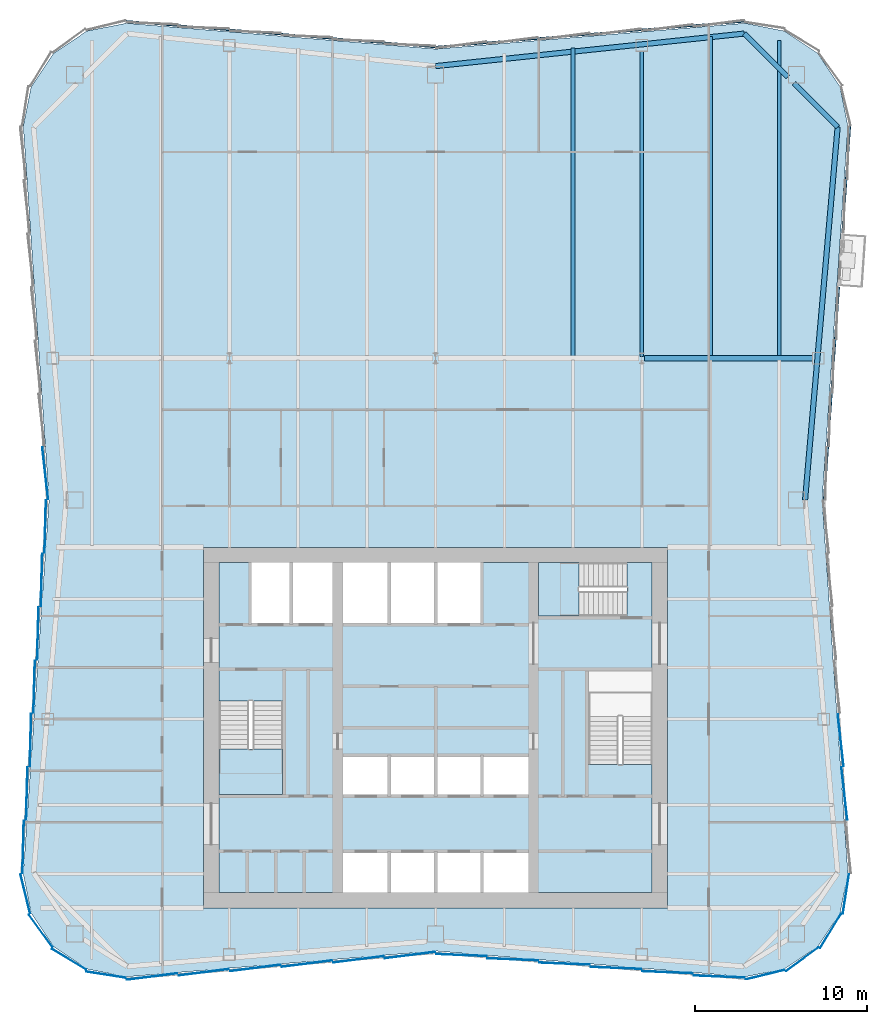
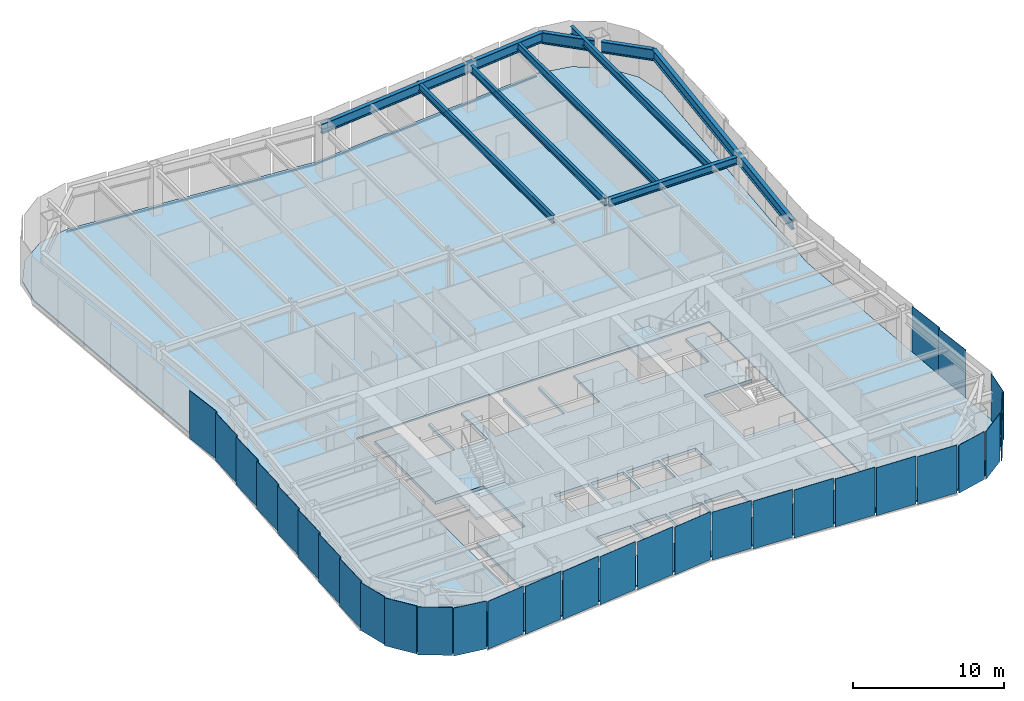
# One storey, part 3 of 10: 30 plates, 9 beams, 4 members, 4 slabs, 8 elements without a shape of their own.
"""IFC4 building model written with IfcOpenShell, lengths in metres."""

from ifc_helpers import new_model, si_unit, direction, frame, origin, origin_2d, place, context, subcontext, project, spatial, polyline, rectangle, i_section, outline, extrude, material, layer, layer_set, material_profile, profile_set, type_object, element, aggregate, save


model = new_model("IFC4")

# Units and contexts
model_context = context("Model", 3, precision=1e-05, world=origin(), true_north=direction((0.0, 1.0)))
body_context = subcontext(model_context, "Body", "Model", "MODEL_VIEW")
ifc_project = project(units=[si_unit("LENGTHUNIT", "METRE"), si_unit("AREAUNIT", "SQUARE_METRE"), si_unit("VOLUMEUNIT", "CUBIC_METRE"), si_unit("PLANEANGLEUNIT", "RADIAN"), si_unit("MASSUNIT", "GRAM", prefix="KILO")], contexts=[model_context])

# Site, building, storey
site_placement = place(None, origin())
site = spatial("IfcSite", under=ifc_project, at=site_placement, CompositionType="ELEMENT")
building_placement = place(site_placement, origin())
building = spatial("IfcBuilding", under=site, at=building_placement, Name="Verdant Reach Tower", CompositionType="ELEMENT")
storey_placement = place(building_placement, frame((0.0, 0.0, 222.0)))
storey = spatial("IfcBuildingStorey", under=building, at=storey_placement, Name="L51", CompositionType="ELEMENT", Elevation=222.0)

# Curtain wall, members
ifc_material_1 = material(Name="Anodised aluminium", Category="aluminium")
curtain_wall_type = type_object("IfcCurtainWallType", Name="EN-CW SYSTEM Z3", PredefinedType="NOTDEFINED", material=ifc_material_1)
curtain_wall_1_placement = place(storey_placement, origin())
curtain_wall_1 = element("IfcCurtainWall", 1, at=curtain_wall_1_placement, inside=storey, type_object=curtain_wall_type, Name="Curtain wall east, L51", PredefinedType="NOTDEFINED")
ifc_material_profile_1 = material_profile(ifc_material_1, rectangle(XDim=0.10009765625, YDim=0.1259765625, at=origin_2d()), Name="Transom 126x100")
ifc_profile_set_1 = profile_set([ifc_material_profile_1], Name="Anodised aluminium")
member_type = type_object("IfcMemberType", Name="EN-TRANSOM Z3", PredefinedType="USERDEFINED", material=ifc_profile_set_1)
member_1_placement = place(storey_placement, frame((22.611328125, 41.282958984375, -0.287109375), z_axis=(0.068819005353, 0.997629161814, 0.0), x_axis=(-0.997629161814, 0.068819005353, 0.0)))
member_1 = element("IfcMember", 2, at=member_1_placement, type_object=member_type, Name="Transom east face part 2 1.1, L51", ObjectType="TRANSOM", PredefinedType="USERDEFINED", context=body_context, shape_type="SweptSolid", body=[
    extrude(rectangle(XDim=0.10009765625, YDim=0.1259765625, at=origin_2d()), origin(), (0.0, 0.0, 1.0), 12.384521484375),
])
member_2_placement = place(storey_placement, frame((23.682373046875, 56.81103515625, -0.287109375), z_axis=(0.068646115672, 0.997641073134, 0.0), x_axis=(-0.997641073134, 0.068646115672, 0.0)))
member_2 = element("IfcMember", 3, at=member_2_placement, type_object=member_type, Name="Transom east face part 2 2.1, L51", ObjectType="TRANSOM", PredefinedType="USERDEFINED", context=body_context, shape_type="SweptSolid", body=[
    extrude(rectangle(XDim=0.10009765625, YDim=0.1259765625, at=origin_2d()), origin(), (0.0, 0.0, 1.0), 6.177734375),
])

curtain_wall_2_placement = place(storey_placement, origin())
curtain_wall_2 = element("IfcCurtainWall", 4, at=curtain_wall_2_placement, inside=storey, type_object=curtain_wall_type, Name="Curtain wall north, L51", PredefinedType="NOTDEFINED")
member_3_placement = place(storey_placement, frame((17.973388671875, 69.106201171875, -0.287109375), z_axis=(-0.996548750467, -0.083009565369, 0.0), x_axis=(0.083009565369, -0.996548750467, 0.0)))
member_3 = element("IfcMember", 5, at=member_3_placement, type_object=member_type, Name="Transom north face part 1 1.1, L51", ObjectType="TRANSOM", PredefinedType="USERDEFINED", context=body_context, shape_type="SweptSolid", body=[
    extrude(rectangle(XDim=0.10009765625, YDim=0.1259765625, at=origin_2d()), origin(), (0.0, 0.0, 1.0), 18.00244140625),
])
member_4_placement = place(storey_placement, frame((-0.032958984375, 67.61181640625, -0.287109375), z_axis=(-0.996548750467, 0.083009565369, 0.0), x_axis=(-0.083009565369, -0.996548750467, 0.0)))
member_4 = element("IfcMember", 6, at=member_4_placement, type_object=member_type, Name="Transom north face part 2 1.1, L51", ObjectType="TRANSOM", PredefinedType="USERDEFINED", context=body_context, shape_type="SweptSolid", body=[
    extrude(rectangle(XDim=0.10009765625, YDim=0.1259765625, at=origin_2d()), origin(), (0.0, 0.0, 1.0), 18.00244140625),
])
aggregate(curtain_wall_2, [member_3, member_4])

# Beams
ifc_material_2 = material(Name="Steel S355", Category="steel")
ifc_material_profile_2 = material_profile(ifc_material_2, i_section(OverallWidth=0.300048828125, OverallDepth=0.60009765625, WebThickness=0.015380859375, FlangeThickness=0.030029296875, FilletRadius=0.027099609375, at=origin_2d()), Name="HEB 600")
ifc_profile_set_2 = profile_set([ifc_material_profile_2], Name="Steel S355")
beam_type_1 = type_object("IfcBeamType", Name="ST-BEAM-HEB600", PredefinedType="BEAM", material=ifc_profile_set_2)
beam_1_placement = place(storey_placement, frame((12.152587890625, 49.5, 3.449951171875), z_axis=(1.0, 0.0, 0.0), x_axis=(0.0, 1.0, 0.0)))
element("IfcBeam", 7, at=beam_1_placement, inside=storey, type_object=beam_type_1, Name="Row girder, L51", PredefinedType="BEAM", context=body_context, shape_type="SweptSolid", body=[
    extrude(i_section(OverallWidth=0.300048828125, OverallDepth=0.60009765625, WebThickness=0.015380859375, FlangeThickness=0.030029296875, FilletRadius=0.027099609375, at=origin_2d()), origin(), (0.0, 0.0, 1.0), 9.766357421875),
])
ifc_material_profile_3 = material_profile(ifc_material_2, i_section(OverallWidth=0.219970703125, OverallDepth=0.60009765625, WebThickness=0.011962890625, FlangeThickness=0.01904296875, FilletRadius=0.02392578125, at=origin_2d()), Name="IPE 600")
ifc_profile_set_3 = profile_set([ifc_material_profile_3], Name="Steel S355")
beam_type_2 = type_object("IfcBeamType", Name="ST-JOIST-IPE600", PredefinedType="JOIST", material=ifc_profile_set_3)
beam_2_placement = place(storey_placement, frame((8.0, 49.60009765625, 3.449951171875), z_axis=(0.0, 1.0, 0.0), x_axis=(-1.0, 0.0, 0.0)))
element("IfcBeam", 8, at=beam_2_placement, inside=storey, type_object=beam_type_2, Name="Floor joist, L51", PredefinedType="JOIST", context=body_context, shape_type="SweptSolid", body=[
    extrude(i_section(OverallWidth=0.219970703125, OverallDepth=0.60009765625, WebThickness=0.011962890625, FlangeThickness=0.01904296875, FilletRadius=0.02392578125, at=origin_2d()), origin(), (0.0, 0.0, 1.0), 17.964599609375),
])
beam_3_placement = place(storey_placement, frame((12.0, 49.60009765625, 3.449951171875), z_axis=(0.0, 1.0, 0.0), x_axis=(-1.0, 0.0, 0.0)))
element("IfcBeam", 9, at=beam_3_placement, inside=storey, type_object=beam_type_2, Name="Floor joist, L51", PredefinedType="JOIST", context=body_context, shape_type="SweptSolid", body=[
    extrude(i_section(OverallWidth=0.219970703125, OverallDepth=0.60009765625, WebThickness=0.011962890625, FlangeThickness=0.01904296875, FilletRadius=0.02392578125, at=origin_2d()), origin(), (0.0, 0.0, 1.0), 17.75),
])
beam_4_placement = place(storey_placement, frame((16.0, 49.60009765625, 3.449951171875), z_axis=(0.0, 1.0, 0.0), x_axis=(-1.0, 0.0, 0.0)))
element("IfcBeam", 10, at=beam_4_placement, inside=storey, type_object=beam_type_2, Name="Floor joist, L51", PredefinedType="JOIST", context=body_context, shape_type="SweptSolid", body=[
    extrude(i_section(OverallWidth=0.219970703125, OverallDepth=0.60009765625, WebThickness=0.011962890625, FlangeThickness=0.01904296875, FilletRadius=0.02392578125, at=origin_2d()), origin(), (0.0, 0.0, 1.0), 18.631103515625),
])
beam_5_placement = place(storey_placement, frame((20.0, 49.60009765625, 3.449951171875), z_axis=(0.0, 1.0, 0.0), x_axis=(-1.0, 0.0, 0.0)))
element("IfcBeam", 11, at=beam_5_placement, inside=storey, type_object=beam_type_2, Name="Floor joist, L51", PredefinedType="JOIST", context=body_context, shape_type="SweptSolid", body=[
    extrude(i_section(OverallWidth=0.219970703125, OverallDepth=0.60009765625, WebThickness=0.011962890625, FlangeThickness=0.01904296875, FilletRadius=0.02392578125, at=origin_2d()), origin(), (0.0, 0.0, 1.0), 18.390380859375),
])
ifc_material_profile_4 = material_profile(ifc_material_2, i_section(OverallWidth=0.300048828125, OverallDepth=0.800048828125, WebThickness=0.017578125, FlangeThickness=0.032958984375, FilletRadius=0.030029296875, at=origin_2d()), Name="HEB 800")
ifc_profile_set_4 = profile_set([ifc_material_profile_4], Name="Steel S355")
beam_type_3 = type_object("IfcBeamType", Name="ST-SPANDREL-HEB800", PredefinedType="SPANDREL", material=ifc_profile_set_4)
beam_6_placement = place(storey_placement, frame((0.0, 66.5, 3.35009765625), z_axis=(0.994483067002, 0.104897232783, 0.0), x_axis=(-0.104897232783, 0.994483067002, 0.0)))
element("IfcBeam", 12, at=beam_6_placement, inside=storey, type_object=beam_type_3, Name="Edge beam, L51", PredefinedType="SPANDREL", context=body_context, shape_type="SweptSolid", body=[
    extrude(i_section(OverallWidth=0.300048828125, OverallDepth=0.800048828125, WebThickness=0.017578125, FlangeThickness=0.032958984375, FilletRadius=0.030029296875, at=origin_2d()), origin(), (0.0, 0.0, 1.0), 18.0654296875),
])
beam_7_placement = place(storey_placement, frame((23.39599609375, 62.96142578125, 3.35009765625), z_axis=(-0.086996024331, -0.996208658741, 0.0), x_axis=(0.996208658741, -0.086996024331, 0.0)))
element("IfcBeam", 13, at=beam_7_placement, inside=storey, type_object=beam_type_3, Name="Edge beam, L51", PredefinedType="SPANDREL", context=body_context, shape_type="SweptSolid", body=[
    extrude(i_section(OverallWidth=0.300048828125, OverallDepth=0.800048828125, WebThickness=0.017578125, FlangeThickness=0.032958984375, FilletRadius=0.030029296875, at=origin_2d()), origin(), (0.0, 0.0, 1.0), 21.7939453125),
])
ifc_material_profile_5 = material_profile(ifc_material_2, i_section(OverallWidth=0.302001953125, OverallDepth=0.909912109375, WebThickness=0.02099609375, FlangeThickness=0.0400390625, FilletRadius=0.030029296875, at=origin_2d()), Name="HEM 900")
ifc_profile_set_5 = profile_set([ifc_material_profile_5], Name="Steel S355")
beam_type_4 = type_object("IfcBeamType", Name="ST-SPANDREL-HEM900", PredefinedType="SPANDREL", material=ifc_profile_set_5)
beam_8_placement = place(storey_placement, frame((17.9658203125, 68.39501953125, 3.294921875), z_axis=(0.706868394255, -0.707345087777, 0.0), x_axis=(0.707345087777, 0.706868394255, 0.0)))
element("IfcBeam", 14, at=beam_8_placement, inside=storey, type_object=beam_type_4, Name="Edge beam, L51", PredefinedType="SPANDREL", context=body_context, shape_type="SweptSolid", body=[
    extrude(i_section(OverallWidth=0.302001953125, OverallDepth=0.909912109375, WebThickness=0.02099609375, FlangeThickness=0.0400390625, FilletRadius=0.030029296875, at=origin_2d()), origin(), (0.0, 0.0, 1.0), 3.5849609375),
])
beam_9_placement = place(storey_placement, frame((20.85888671875, 65.5, 3.294921875), z_axis=(0.706902680526, -0.707310822952, 0.0), x_axis=(0.707310822952, 0.706902680526, 0.0)))
element("IfcBeam", 15, at=beam_9_placement, inside=storey, type_object=beam_type_4, Name="Edge beam, L51", PredefinedType="SPANDREL", context=body_context, shape_type="SweptSolid", body=[
    extrude(i_section(OverallWidth=0.302001953125, OverallDepth=0.909912109375, WebThickness=0.02099609375, FlangeThickness=0.0400390625, FilletRadius=0.030029296875, at=origin_2d()), origin(), (0.0, 0.0, 1.0), 3.589111328125),
])

# Stair, slab
ifc_material_3 = material(Name="Concrete C40/50", Category="concrete")
stair_type = type_object("IfcStairType", Name="CO-STAIR", PredefinedType="HALF_TURN_STAIR", material=ifc_material_3)
stair_1_placement = place(storey_placement, origin())
stair_1 = element("IfcStair", 16, at=stair_1_placement, inside=storey, type_object=stair_type, Name="L51 Exit stair 1", PredefinedType="HALF_TURN_STAIR")
ifc_layer_1 = layer(ifc_material_3, 0.199951171875)
ifc_layer_set_1 = layer_set([ifc_layer_1], Name="CO-STAIR-LANDING")
slab_type_1 = type_object("IfcSlabType", Name="CO-STAIR-LANDING", PredefinedType="LANDING", material=ifc_layer_set_1)
slab_1_placement = place(storey_placement, frame((0.0, 0.0, 1.800048828125)))
slab_1 = element("IfcSlab", 17, at=slab_1_placement, type_object=slab_type_1, Name="ST-1 landing 1", PredefinedType="LANDING", context=body_context, shape_type="SweptSolid", body=[
    extrude(outline(polyline([(-12.60009765625, 26.75), (-12.60009765625, 24.10009765625), (-8.89990234375, 24.10009765625), (-8.89990234375, 26.75), (-12.60009765625, 26.75)])), origin(), (0.0, 0.0, 1.0), 0.199951171875),
])
aggregate(stair_1, [slab_1])

stair_2_placement = place(storey_placement, origin())
stair_2 = element("IfcStair", 18, at=stair_2_placement, inside=storey, type_object=stair_type, Name="L51 Exit stair 3", PredefinedType="HALF_TURN_STAIR")
slab_2_placement = place(storey_placement, frame((0.0, 0.0, 1.800048828125)))
slab_2 = element("IfcSlab", 19, at=slab_2_placement, type_object=slab_type_1, Name="ST-3 landing 1", PredefinedType="LANDING", context=body_context, shape_type="SweptSolid", body=[
    extrude(outline(polyline([(8.35009765625, 37.60009765625), (6.0, 37.60009765625), (6.0, 34.5), (8.35009765625, 34.5), (8.35009765625, 37.60009765625)])), origin(), (0.0, 0.0, 1.0), 0.199951171875),
])
aggregate(stair_2, [slab_2])

# Curtain wall, plates
curtain_wall_3_placement = place(storey_placement, origin())
curtain_wall_3 = element("IfcCurtainWall", 20, at=curtain_wall_3_placement, inside=storey, type_object=curtain_wall_type, Name="Curtain wall west, L51", PredefinedType="NOTDEFINED")
ifc_material_4 = material(Name="Tinted glass with champagne spandrel", Category="glass")
ifc_layer_2 = layer(ifc_material_4, 0.031982421875)
ifc_layer_set_2 = layer_set([ifc_layer_2], Name="EN-PANEL CHAMPAGNE")
plate_type_1 = type_object("IfcPlateType", Name="EN-PANEL CHAMPAGNE", PredefinedType="CURTAIN_PANEL", material=ifc_layer_set_2)
plate_1_placement = place(storey_placement, frame((-22.93017578125, 36.5966796875, -0.22412109375), z_axis=(0.0, 0.0, 1.0), x_axis=(-0.026965318308, -0.999636369691, 0.0)))
plate_1 = element("IfcPlate", 21, at=plate_1_placement, type_object=plate_type_1, Name="Glass panel west face part 2 2.1, L51", PredefinedType="CURTAIN_PANEL", context=body_context, shape_type="SweptSolid", body=[
    extrude(rectangle(XDim=3.052490234375, YDim=0.031982421875, at=origin_2d()), origin(), (0.0, 0.0, 1.0), 3.8740234375),
])
plate_2_placement = place(storey_placement, frame((-23.14453125, 33.48974609375, -0.22412109375), z_axis=(0.0, 0.0, 1.0), x_axis=(-0.026965318308, -0.999636369691, 0.0)))
plate_2 = element("IfcPlate", 22, at=plate_2_placement, type_object=plate_type_1, Name="Glass panel west face part 2 3.1, L51", PredefinedType="CURTAIN_PANEL", context=body_context, shape_type="SweptSolid", body=[
    extrude(rectangle(XDim=3.052490234375, YDim=0.031982421875, at=origin_2d()), origin(), (0.0, 0.0, 1.0), 3.8740234375),
])
plate_3_placement = place(storey_placement, frame((-23.358642578125, 30.382568359375, -0.22412109375), z_axis=(0.0, 0.0, 1.0), x_axis=(-0.026965318308, -0.999636369691, 0.0)))
plate_3 = element("IfcPlate", 23, at=plate_3_placement, type_object=plate_type_1, Name="Glass panel west face part 2 4.1, L51", PredefinedType="CURTAIN_PANEL", context=body_context, shape_type="SweptSolid", body=[
    extrude(rectangle(XDim=3.052490234375, YDim=0.031982421875, at=origin_2d()), origin(), (0.0, 0.0, 1.0), 3.8740234375),
])

curtain_wall_4_placement = place(storey_placement, origin())
curtain_wall_4 = element("IfcCurtainWall", 24, at=curtain_wall_4_placement, inside=storey, type_object=curtain_wall_type, Name="Curtain wall south-west corner, L51", PredefinedType="NOTDEFINED")
plate_4_placement = place(storey_placement, frame((-23.87646484375, 18.32763671875, -0.22412109375), z_axis=(0.0, 0.0, 1.0), x_axis=(0.23644624331, -0.97164457186, 0.0)))
plate_4 = element("IfcPlate", 25, at=plate_4_placement, type_object=plate_type_1, Name="Glass panel south-west corner 1.1, L51", PredefinedType="CURTAIN_PANEL", context=body_context, shape_type="SweptSolid", body=[
    extrude(rectangle(XDim=2.314697265625, YDim=0.031982421875, at=origin_2d()), origin(), (0.0, 0.0, 1.0), 3.8740234375),
])
plate_5_placement = place(storey_placement, frame((-22.98193359375, 16.171142578125, -0.22412109375), z_axis=(0.0, 0.0, 1.0), x_axis=(0.589926747542, -0.807456768214, 0.0)))
plate_5 = element("IfcPlate", 26, at=plate_5_placement, type_object=plate_type_1, Name="Glass panel south-west corner 2.1, L51", PredefinedType="CURTAIN_PANEL", context=body_context, shape_type="SweptSolid", body=[
    extrude(rectangle(XDim=2.321533203125, YDim=0.031982421875, at=origin_2d()), origin(), (0.0, 0.0, 1.0), 3.8740234375),
])

curtain_wall_5_placement = place(storey_placement, origin())
curtain_wall_5 = element("IfcCurtainWall", 27, at=curtain_wall_5_placement, inside=storey, type_object=curtain_wall_type, Name="Curtain wall south, L51", PredefinedType="NOTDEFINED")
plate_6_placement = place(storey_placement, frame((-1.495361328125, 14.76611328125, -0.22412109375), z_axis=(0.0, 0.0, 1.0), x_axis=(0.992178382939, 0.124828107529, 0.0)))
plate_6 = element("IfcPlate", 28, at=plate_6_placement, type_object=plate_type_1, Name="Glass panel south face part 1 6.1, L51", PredefinedType="CURTAIN_PANEL", context=body_context, shape_type="SweptSolid", body=[
    extrude(rectangle(XDim=2.939453125, YDim=0.031982421875, at=origin_2d()), origin(), (0.0, 0.0, 1.0), 3.8740234375),
])
plate_7_placement = place(storey_placement, frame((1.495361328125, 14.76611328125, -0.22412109375), z_axis=(0.0, 0.0, 1.0), x_axis=(0.999144020525, -0.041366970501, 0.0)))
plate_7 = element("IfcPlate", 29, at=plate_7_placement, type_object=plate_type_1, Name="Glass panel south face part 2 1.1, L51", PredefinedType="CURTAIN_PANEL", context=body_context, shape_type="SweptSolid", body=[
    extrude(rectangle(XDim=2.939453125, YDim=0.031982421875, at=origin_2d()), origin(), (0.0, 0.0, 1.0), 3.8740234375),
])
plate_8_placement = place(storey_placement, frame((4.490966796875, 14.516357421875, -0.22412109375), z_axis=(0.0, 0.0, 1.0), x_axis=(0.999149202059, -0.041241629766, 0.0)))
plate_8 = element("IfcPlate", 30, at=plate_8_placement, type_object=plate_type_1, Name="Glass panel south face part 2 2.1, L51", PredefinedType="CURTAIN_PANEL", context=body_context, shape_type="SweptSolid", body=[
    extrude(rectangle(XDim=2.948486328125, YDim=0.031982421875, at=origin_2d()), origin(), (0.0, 0.0, 1.0), 3.8740234375),
])

curtain_wall_6_placement = place(storey_placement, origin())
curtain_wall_6 = element("IfcCurtainWall", 31, at=curtain_wall_6_placement, inside=storey, type_object=curtain_wall_type, Name="Curtain wall south-east corner, L51", PredefinedType="NOTDEFINED")
ifc_material_5 = material(Name="Tinted glass with copper spandrel", Category="glass")
ifc_layer_3 = layer(ifc_material_5, 0.031982421875)
ifc_layer_set_3 = layer_set([ifc_layer_3], Name="EN-PANEL COPPER")
plate_type_2 = type_object("IfcPlateType", Name="EN-PANEL COPPER", PredefinedType="CURTAIN_PANEL", material=ifc_layer_set_3)
plate_9_placement = place(storey_placement, frame((19.171875, 13.62353515625, -0.22412109375), z_axis=(0.0, 0.0, 1.0), x_axis=(0.971655117833, 0.236402901821, 0.0)))
plate_9 = element("IfcPlate", 32, at=plate_9_placement, type_object=plate_type_2, Name="Glass panel south-east corner 1.1, L51", PredefinedType="CURTAIN_PANEL", context=body_context, shape_type="SweptSolid", body=[
    extrude(rectangle(XDim=2.3154296875, YDim=0.031982421875, at=origin_2d()), origin(), (0.0, 0.0, 1.0), 3.8740234375),
])
plate_10_placement = place(storey_placement, frame((21.328857421875, 14.51806640625, -0.22412109375), z_axis=(0.0, 0.0, 1.0), x_axis=(0.807456768214, 0.589926747542, 0.0)))
plate_10 = element("IfcPlate", 33, at=plate_10_placement, type_object=plate_type_2, Name="Glass panel south-east corner 2.1, L51", PredefinedType="CURTAIN_PANEL", context=body_context, shape_type="SweptSolid", body=[
    extrude(rectangle(XDim=2.321533203125, YDim=0.031982421875, at=origin_2d()), origin(), (0.0, 0.0, 1.0), 3.8740234375),
])
plate_11_placement = place(storey_placement, frame((22.98193359375, 16.171142578125, -0.22412109375), z_axis=(0.0, 0.0, 1.0), x_axis=(0.520291550457, 0.853988701636, 0.0)))
plate_11 = element("IfcPlate", 34, at=plate_11_placement, type_object=plate_type_2, Name="Glass panel south-east corner 3.1, L51", PredefinedType="CURTAIN_PANEL", context=body_context, shape_type="SweptSolid", body=[
    extrude(rectangle(XDim=2.321533203125, YDim=0.031982421875, at=origin_2d()), origin(), (0.0, 0.0, 1.0), 3.8740234375),
])

# Plate
plate_12_placement = place(storey_placement, frame((-23.572998046875, 27.275390625, -0.22412109375), z_axis=(0.0, 0.0, 1.0), x_axis=(-0.026965318308, -0.999636369691, 0.0)))
plate_12 = element("IfcPlate", 35, at=plate_12_placement, type_object=plate_type_2, Name="Glass panel west face part 2 5.1, L51", PredefinedType="CURTAIN_PANEL", context=body_context, shape_type="SweptSolid", body=[
    extrude(rectangle(XDim=3.052490234375, YDim=0.031982421875, at=origin_2d()), origin(), (0.0, 0.0, 1.0), 3.8740234375),
])

plate_13_placement = place(storey_placement, frame((-23.787353515625, 24.168212890625, -0.22412109375), z_axis=(0.0, 0.0, 1.0), x_axis=(-0.026965318308, -0.999636369691, 0.0)))
plate_13 = element("IfcPlate", 36, at=plate_13_placement, type_object=plate_type_2, Name="Glass panel west face part 2 6.1, L51", PredefinedType="CURTAIN_PANEL", context=body_context, shape_type="SweptSolid", body=[
    extrude(rectangle(XDim=3.052490234375, YDim=0.031982421875, at=origin_2d()), origin(), (0.0, 0.0, 1.0), 3.8740234375),
])

plate_14_placement = place(storey_placement, frame((-21.328857421875, 14.51806640625, -0.22412109375), z_axis=(0.0, 0.0, 1.0), x_axis=(0.853988701636, -0.520291550457, 0.0)))
plate_14 = element("IfcPlate", 37, at=plate_14_placement, type_object=plate_type_2, Name="Glass panel south-west corner 3.1, L51", PredefinedType="CURTAIN_PANEL", context=body_context, shape_type="SweptSolid", body=[
    extrude(rectangle(XDim=2.321533203125, YDim=0.031982421875, at=origin_2d()), origin(), (0.0, 0.0, 1.0), 3.8740234375),
])

plate_15_placement = place(storey_placement, frame((-19.171875, 13.62353515625, -0.22412109375), z_axis=(0.0, 0.0, 1.0), x_axis=(0.988029071555, -0.154267798848, 0.0)))
plate_15 = element("IfcPlate", 38, at=plate_15_placement, type_object=plate_type_2, Name="Glass panel south-west corner 4.1, L51", PredefinedType="CURTAIN_PANEL", context=body_context, shape_type="SweptSolid", body=[
    extrude(rectangle(XDim=2.3154296875, YDim=0.031982421875, at=origin_2d()), origin(), (0.0, 0.0, 1.0), 3.8740234375),
])

aggregate(curtain_wall_4, [plate_4, plate_5, plate_14, plate_15])

plate_16_placement = place(storey_placement, frame((-16.49853515625, 13.516357421875, -0.22412109375), z_axis=(0.0, 0.0, 1.0), x_axis=(0.992237766434, 0.124355196363, 0.0)))
plate_16 = element("IfcPlate", 39, at=plate_16_placement, type_object=plate_type_2, Name="Glass panel south face part 1 1.1, L51", PredefinedType="CURTAIN_PANEL", context=body_context, shape_type="SweptSolid", body=[
    extrude(rectangle(XDim=2.963623046875, YDim=0.031982421875, at=origin_2d()), origin(), (0.0, 0.0, 1.0), 3.8740234375),
])

plate_17_placement = place(storey_placement, frame((-13.490966796875, 13.766357421875, -0.22412109375), z_axis=(0.0, 0.0, 1.0), x_axis=(0.992194034542, 0.124703639961, 0.0)))
plate_17 = element("IfcPlate", 40, at=plate_17_placement, type_object=plate_type_2, Name="Glass panel south face part 1 2.1, L51", PredefinedType="CURTAIN_PANEL", context=body_context, shape_type="SweptSolid", body=[
    extrude(rectangle(XDim=2.948486328125, YDim=0.031982421875, at=origin_2d()), origin(), (0.0, 0.0, 1.0), 3.8740234375),
])

plate_18_placement = place(storey_placement, frame((-10.490966796875, 14.016357421875, -0.22412109375), z_axis=(0.0, 0.0, 1.0), x_axis=(0.992194034542, 0.124703639961, 0.0)))
plate_18 = element("IfcPlate", 41, at=plate_18_placement, type_object=plate_type_2, Name="Glass panel south face part 1 3.1, L51", PredefinedType="CURTAIN_PANEL", context=body_context, shape_type="SweptSolid", body=[
    extrude(rectangle(XDim=2.948486328125, YDim=0.031982421875, at=origin_2d()), origin(), (0.0, 0.0, 1.0), 3.8740234375),
])

plate_19_placement = place(storey_placement, frame((7.490966796875, 14.266357421875, -0.22412109375), z_axis=(0.0, 0.0, 1.0), x_axis=(0.999149202059, -0.041241629766, 0.0)))
plate_19 = element("IfcPlate", 42, at=plate_19_placement, type_object=plate_type_2, Name="Glass panel south face part 2 3.1, L51", PredefinedType="CURTAIN_PANEL", context=body_context, shape_type="SweptSolid", body=[
    extrude(rectangle(XDim=2.948486328125, YDim=0.031982421875, at=origin_2d()), origin(), (0.0, 0.0, 1.0), 3.8740234375),
])

plate_20_placement = place(storey_placement, frame((10.490966796875, 14.016357421875, -0.22412109375), z_axis=(0.0, 0.0, 1.0), x_axis=(0.999149202059, -0.041241629766, 0.0)))
plate_20 = element("IfcPlate", 43, at=plate_20_placement, type_object=plate_type_2, Name="Glass panel south face part 2 4.1, L51", PredefinedType="CURTAIN_PANEL", context=body_context, shape_type="SweptSolid", body=[
    extrude(rectangle(XDim=2.948486328125, YDim=0.031982421875, at=origin_2d()), origin(), (0.0, 0.0, 1.0), 3.8740234375),
])

ifc_material_6 = material(Name="Tinted glass with dark bronze spandrel", Category="glass")
ifc_layer_4 = layer(ifc_material_6, 0.031982421875)
ifc_layer_set_4 = layer_set([ifc_layer_4], Name="EN-PANEL DARK")
plate_type_3 = type_object("IfcPlateType", Name="EN-PANEL DARK", PredefinedType="CURTAIN_PANEL", material=ifc_layer_set_4)
plate_21_placement = place(storey_placement, frame((23.87646484375, 18.32763671875, -0.22412109375), z_axis=(0.0, 0.0, 1.0), x_axis=(0.154311870796, 0.988022189291, 0.0)))
plate_21 = element("IfcPlate", 44, at=plate_21_placement, type_object=plate_type_3, Name="Glass panel south-east corner 4.1, L51", PredefinedType="CURTAIN_PANEL", context=body_context, shape_type="SweptSolid", body=[
    extrude(rectangle(XDim=2.314697265625, YDim=0.031982421875, at=origin_2d()), origin(), (0.0, 0.0, 1.0), 3.8740234375),
])

aggregate(curtain_wall_6, [plate_9, plate_10, plate_11, plate_21])

plate_22_placement = place(storey_placement, frame((23.787353515625, 24.168212890625, -0.22412109375), z_axis=(0.0, 0.0, 1.0), x_axis=(-0.110518162674, 0.993874104562, 0.0)))
plate_22 = element("IfcPlate", 45, at=plate_22_placement, type_object=plate_type_3, Name="Glass panel east face part 1 2.1, L51", PredefinedType="CURTAIN_PANEL", context=body_context, shape_type="SweptSolid", body=[
    extrude(rectangle(XDim=3.052490234375, YDim=0.031982421875, at=origin_2d()), origin(), (0.0, 0.0, 1.0), 3.8740234375),
])

plate_23_placement = place(storey_placement, frame((23.572998046875, 27.275390625, -0.22412109375), z_axis=(0.0, 0.0, 1.0), x_axis=(-0.110518162674, 0.993874104562, 0.0)))
plate_23 = element("IfcPlate", 46, at=plate_23_placement, type_object=plate_type_3, Name="Glass panel east face part 1 3.1, L51", PredefinedType="CURTAIN_PANEL", context=body_context, shape_type="SweptSolid", body=[
    extrude(rectangle(XDim=3.052490234375, YDim=0.031982421875, at=origin_2d()), origin(), (0.0, 0.0, 1.0), 3.8740234375),
])

aggregate(curtain_wall_1, [plate_22, plate_23, member_1, member_2])

plate_24_placement = place(storey_placement, frame((-22.716064453125, 42.7998046875, -0.22412109375), z_axis=(0.0, 0.0, 1.0), x_axis=(0.110600785385, -0.993864913493, 0.0)))
plate_24 = element("IfcPlate", 47, at=plate_24_placement, type_object=plate_type_3, Name="Glass panel west face part 1 7.1, L51", PredefinedType="CURTAIN_PANEL", context=body_context, shape_type="SweptSolid", body=[
    extrude(rectangle(XDim=3.044921875, YDim=0.031982421875, at=origin_2d()), origin(), (0.0, 0.0, 1.0), 3.8740234375),
])

plate_25_placement = place(storey_placement, frame((-22.716064453125, 39.7001953125, -0.22412109375), z_axis=(0.0, 0.0, 1.0), x_axis=(-0.027048420339, -0.999634124546, 0.0)))
plate_25 = element("IfcPlate", 48, at=plate_25_placement, type_object=plate_type_3, Name="Glass panel west face part 2 1.1, L51", PredefinedType="CURTAIN_PANEL", context=body_context, shape_type="SweptSolid", body=[
    extrude(rectangle(XDim=3.044921875, YDim=0.031982421875, at=origin_2d()), origin(), (0.0, 0.0, 1.0), 3.8740234375),
])

plate_26_placement = place(storey_placement, frame((-24.001708984375, 21.053955078125, -0.22412109375), z_axis=(0.0, 0.0, 1.0), x_axis=(-0.026659626966, -0.999644568979, 0.0)))
plate_26 = element("IfcPlate", 49, at=plate_26_placement, type_object=plate_type_3, Name="Glass panel west face part 2 7.1, L51", PredefinedType="CURTAIN_PANEL", context=body_context, shape_type="SweptSolid", body=[
    extrude(rectangle(XDim=3.06689453125, YDim=0.031982421875, at=origin_2d()), origin(), (0.0, 0.0, 1.0), 3.8740234375),
])

aggregate(curtain_wall_3, [plate_24, plate_25, plate_1, plate_2, plate_3, plate_12, plate_13, plate_26])

plate_27_placement = place(storey_placement, frame((-7.490966796875, 14.266357421875, -0.22412109375), z_axis=(0.0, 0.0, 1.0), x_axis=(0.992194034542, 0.124703639961, 0.0)))
plate_27 = element("IfcPlate", 50, at=plate_27_placement, type_object=plate_type_3, Name="Glass panel south face part 1 4.1, L51", PredefinedType="CURTAIN_PANEL", context=body_context, shape_type="SweptSolid", body=[
    extrude(rectangle(XDim=2.948486328125, YDim=0.031982421875, at=origin_2d()), origin(), (0.0, 0.0, 1.0), 3.8740234375),
])

plate_28_placement = place(storey_placement, frame((-4.490966796875, 14.516357421875, -0.22412109375), z_axis=(0.0, 0.0, 1.0), x_axis=(0.992194034542, 0.124703639961, 0.0)))
plate_28 = element("IfcPlate", 51, at=plate_28_placement, type_object=plate_type_3, Name="Glass panel south face part 1 5.1, L51", PredefinedType="CURTAIN_PANEL", context=body_context, shape_type="SweptSolid", body=[
    extrude(rectangle(XDim=2.948486328125, YDim=0.031982421875, at=origin_2d()), origin(), (0.0, 0.0, 1.0), 3.8740234375),
])

plate_29_placement = place(storey_placement, frame((13.490966796875, 13.766357421875, -0.22412109375), z_axis=(0.0, 0.0, 1.0), x_axis=(0.999149202059, -0.041241629766, 0.0)))
plate_29 = element("IfcPlate", 52, at=plate_29_placement, type_object=plate_type_3, Name="Glass panel south face part 2 5.1, L51", PredefinedType="CURTAIN_PANEL", context=body_context, shape_type="SweptSolid", body=[
    extrude(rectangle(XDim=2.948486328125, YDim=0.031982421875, at=origin_2d()), origin(), (0.0, 0.0, 1.0), 3.8740234375),
])

plate_30_placement = place(storey_placement, frame((16.49853515625, 13.516357421875, -0.22412109375), z_axis=(0.0, 0.0, 1.0), x_axis=(0.999163623568, -0.040890748818, 0.0)))
plate_30 = element("IfcPlate", 53, at=plate_30_placement, type_object=plate_type_3, Name="Glass panel south face part 2 6.1, L51", PredefinedType="CURTAIN_PANEL", context=body_context, shape_type="SweptSolid", body=[
    extrude(rectangle(XDim=2.963623046875, YDim=0.031982421875, at=origin_2d()), origin(), (0.0, 0.0, 1.0), 3.8740234375),
])

aggregate(curtain_wall_5, [plate_16, plate_17, plate_18, plate_27, plate_28, plate_6, plate_7, plate_8, plate_19, plate_20, plate_29, plate_30])

# Slabs
ifc_material_7 = material(Name="Concrete C35/45", Category="concrete")
ifc_layer_5 = layer(ifc_material_7, 0.1298828125)
ifc_layer_set_5 = layer_set([ifc_layer_5], Name="ST-SLAB-130")
slab_type_2 = type_object("IfcSlabType", Name="ST-SLAB-130", PredefinedType="FLOOR", material=ifc_layer_set_5)
slab_3_placement = place(storey_placement, frame((0.0, 0.0, -0.1298828125)))
element("IfcSlab", 54, at=slab_3_placement, inside=storey, type_object=slab_type_2, Name="Floor slab L51", PredefinedType="FLOOR", context=body_context, shape_type="SweptSolid", body=[
    extrude(outline(polyline([(0.0, 15.0), (-18.0, 13.5), (-20.296142578125, 13.956787109375), (-22.24267578125, 15.25732421875), (-23.543212890625, 17.203857421875), (-24.0, 19.5), (-22.5, 41.25), (-24.0, 63.0), (-23.543212890625, 65.296142578125), (-22.24267578125, 67.24267578125), (-20.296142578125, 68.543212890625), (-18.0, 69.0), (0.0, 67.5), (18.0, 69.0), (20.296142578125, 68.543212890625), (22.24267578125, 67.24267578125), (23.543212890625, 65.296142578125), (24.0, 63.0), (22.5, 41.25), (24.0, 19.5), (23.543212890625, 17.203857421875), (22.24267578125, 15.25732421875), (20.296142578125, 13.956787109375), (18.0, 13.5), (0.0, 15.0)]), holes=[polyline([(13.5, 38.5), (-13.5, 38.5), (-13.5, 17.5), (13.5, 17.5), (13.5, 38.5)])]), origin(), (0.0, 0.0, 1.0), 0.1298828125),
])
ifc_layer_6 = layer(ifc_material_7, 0.25)
ifc_layer_set_6 = layer_set([ifc_layer_6], Name="ST-SLAB-250")
slab_type_3 = type_object("IfcSlabType", Name="ST-SLAB-250", PredefinedType="FLOOR", material=ifc_layer_set_6)
slab_4_placement = place(storey_placement, frame((0.0, 0.0, -0.25)))
element("IfcSlab", 55, at=slab_4_placement, inside=storey, type_object=slab_type_3, Name="Core floor slab L51", PredefinedType="FLOOR", context=body_context, shape_type="SweptSolid", body=[
    extrude(outline(polyline([(12.60009765625, 18.39990234375), (5.39990234375, 18.39990234375), (5.39990234375, 20.699951171875), (2.800048828125, 20.699951171875), (2.800048828125, 18.39990234375), (2.60009765625, 18.39990234375), (2.60009765625, 20.699951171875), (0.10009765625, 20.699951171875), (0.10009765625, 18.39990234375), (-0.10009765625, 18.39990234375), (-0.10009765625, 20.699951171875), (-2.60009765625, 20.699951171875), (-2.60009765625, 18.39990234375), (-2.800048828125, 18.39990234375), (-2.800048828125, 20.699951171875), (-5.39990234375, 20.699951171875), (-5.39990234375, 18.39990234375), (-12.60009765625, 18.39990234375), (-12.60009765625, 24.10009765625), (-8.89990234375, 24.10009765625), (-8.89990234375, 29.548095703125), (-12.60009765625, 29.548095703125), (-12.60009765625, 37.60009765625), (-10.699951171875, 37.60009765625), (-10.699951171875, 34.10009765625), (-8.5, 34.10009765625), (-8.5, 37.60009765625), (-8.300048828125, 37.60009765625), (-8.300048828125, 34.10009765625), (-6.0, 34.10009765625), (-6.0, 37.60009765625), (-5.39990234375, 37.60009765625), (-5.39990234375, 34.10009765625), (-2.800048828125, 34.10009765625), (-2.800048828125, 37.60009765625), (-2.60009765625, 37.60009765625), (-2.60009765625, 34.10009765625), (-0.10009765625, 34.10009765625), (-0.10009765625, 37.60009765625), (0.10009765625, 37.60009765625), (0.10009765625, 34.10009765625), (2.60009765625, 34.10009765625), (2.60009765625, 37.60009765625), (6.0, 37.60009765625), (6.0, 34.5), (11.14794921875, 34.5), (11.14794921875, 37.60009765625), (12.60009765625, 37.60009765625), (12.60009765625, 31.300048828125), (8.89990234375, 31.300048828125), (8.89990234375, 25.85205078125), (12.60009765625, 25.85205078125), (12.60009765625, 18.39990234375)]), holes=[polyline([(-2.800048828125, 24.10009765625), (-2.800048828125, 26.300048828125), (-5.39990234375, 26.300048828125), (-5.39990234375, 24.10009765625), (-2.800048828125, 24.10009765625)]), polyline([(-0.10009765625, 24.10009765625), (-0.10009765625, 26.300048828125), (-2.60009765625, 26.300048828125), (-2.60009765625, 24.10009765625), (-0.10009765625, 24.10009765625)]), polyline([(2.60009765625, 24.10009765625), (2.60009765625, 26.300048828125), (0.10009765625, 26.300048828125), (0.10009765625, 24.10009765625), (2.60009765625, 24.10009765625)]), polyline([(5.39990234375, 24.10009765625), (5.39990234375, 26.300048828125), (2.800048828125, 26.300048828125), (2.800048828125, 24.10009765625), (5.39990234375, 24.10009765625)])]), origin(), (0.0, 0.0, 1.0), 0.25),
])

save(model, "model.ifc")
